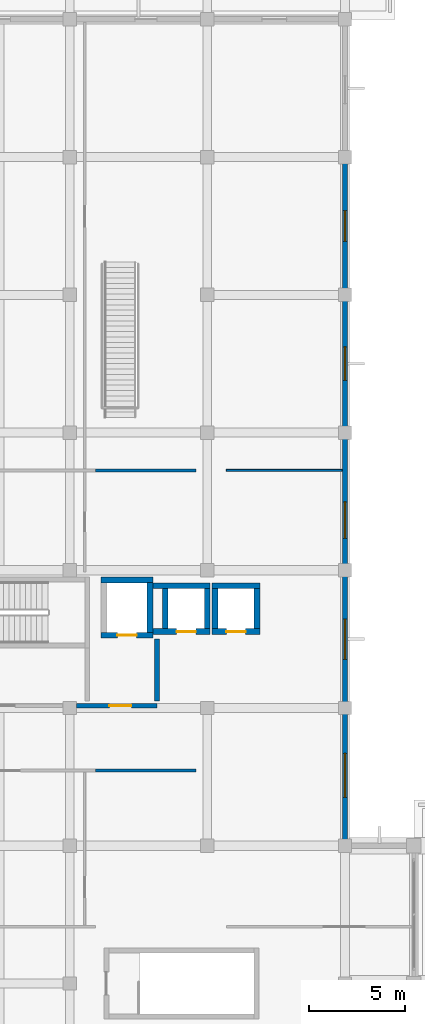
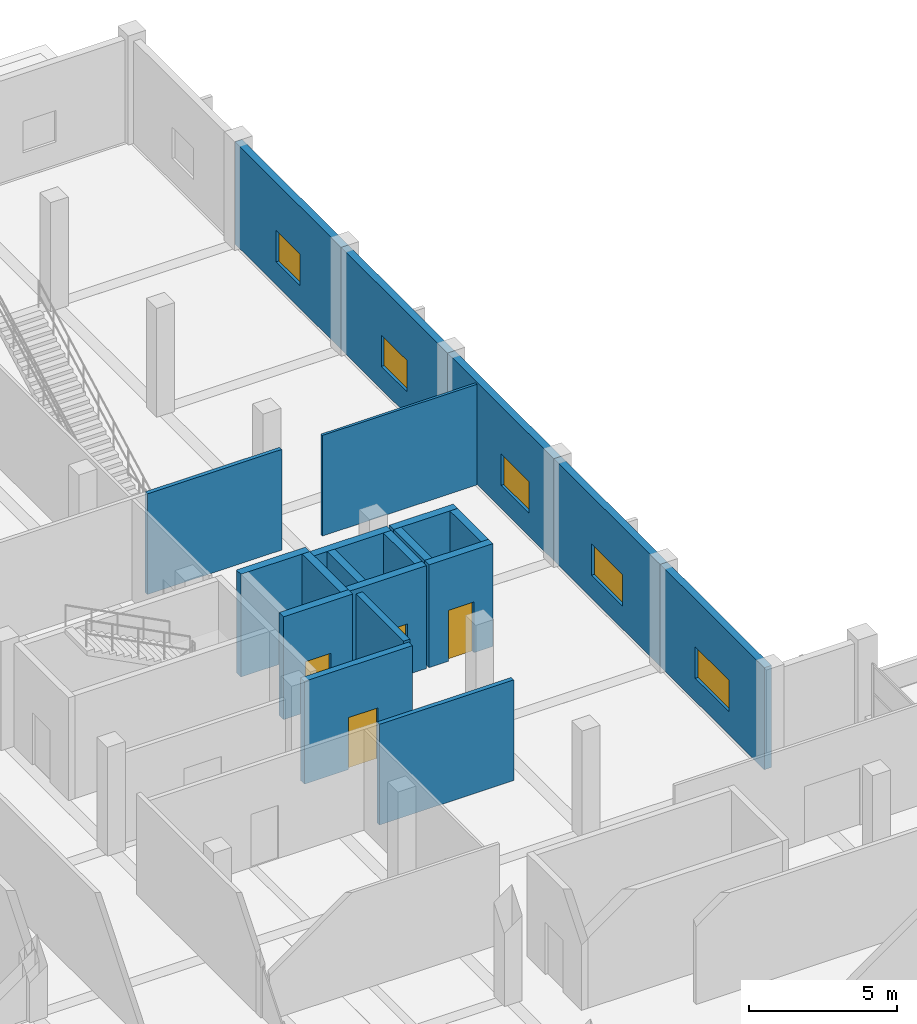
# One storey, part 15 of 24: 21 walls, 5 windows, 4 doors, 9 openings.
"""IFC4 building model written with IfcOpenShell, lengths in metres."""

from ifc_helpers import new_model, si_unit, direction, frame, frame_2d, origin, place, context, subcontext, project, spatial, rectangle, extrude, material, layer, layer_set, type_object, element, fill, save


model = new_model("IFC4")

# Units and contexts
model_context = context("Model", 3, precision=1e-05, world=origin(), true_north=direction((0.0, 1.0)))
body_context = subcontext(model_context, "Body", "Model", "MODEL_VIEW")
ifc_project = project(units=[si_unit("LENGTHUNIT", "METRE"), si_unit("AREAUNIT", "SQUARE_METRE"), si_unit("VOLUMEUNIT", "CUBIC_METRE"), si_unit("PLANEANGLEUNIT", "RADIAN"), si_unit("MASSUNIT", "GRAM", prefix="KILO")], contexts=[model_context])

# Site, building, storey
site_placement = place(None, origin())
site = spatial("IfcSite", under=ifc_project, at=site_placement, CompositionType="ELEMENT")
building_placement = place(site_placement, origin())
building = spatial("IfcBuilding", under=site, at=building_placement, Name="Seraya Terrace Polytechnic", CompositionType="ELEMENT")
storey_placement = place(building_placement, frame((0.0, 0.0, 18.89990234375)))
storey = spatial("IfcBuildingStorey", under=building, at=storey_placement, Name="L04", CompositionType="ELEMENT", Elevation=18.89990234375)

# Wall, opening, window
ifc_material_1 = material(Name="Precast concrete C40/50", Category="concrete")
ifc_layer_1 = layer(ifc_material_1, 0.280029296875, Name="EW-02")
ifc_layer_set_1 = layer_set([ifc_layer_1], Name="Precast concrete C40/50")
wall_type_1 = type_object("IfcWallType", Name="EW-02", PredefinedType="SOLIDWALL", material=ifc_layer_set_1)
wall_1_placement = place(storey_placement, frame((108.0, 64.800048828125, 0.0), z_axis=(0.0, 0.0, 1.0), x_axis=(0.0, -1.0, 0.0)))
wall_1 = element("IfcWall", 1, at=wall_1_placement, inside=storey, type_object=wall_type_1, Name="Exterior structural wall EW-02 L04", PredefinedType="SOLIDWALL", context=body_context, shape_type="SweptSolid", body=[
    extrude(rectangle(XDim=7.199951171875, YDim=0.280029296875, at=frame_2d((3.60009765625, 0.0))), origin(), (0.0, 0.0, 1.0), 4.22021484375),
])
opening_1_placement = place(wall_1_placement, frame((2.800048828125, 0.0, 0.949951171875)))
opening_1 = element("IfcOpeningElement", 2, at=opening_1_placement, cuts=wall_1, Name="Opening WN-05", PredefinedType="OPENING", context=body_context, shape_type="SweptSolid", body=[
    extrude(rectangle(XDim=1.60009765625, YDim=1.300048828125, at=frame_2d((0.800048828125, 0.64990234375))), frame((0.0, 0.15185546875, 0.0), z_axis=(0.0, -1.0, 0.0), x_axis=(1.0, 0.0, 0.0)), (0.0, 0.0, 1.0), 0.303955078125),
])
ifc_material_2 = material(Name="Laminated solar-control Low-E double glazing", Category="glass")
window_type_1 = type_object("IfcWindowType", Name="WN-05", PartitioningType="SINGLE_PANEL", PredefinedType="WINDOW", material=ifc_material_2)
window_1_placement = place(opening_1_placement, origin())
window_1 = element("IfcWindow", 3, at=window_1_placement, inside=storey, type_object=window_type_1, Name="Exterior window WN-05 L04", OverallHeight=1.300048828125, OverallWidth=1.60009765625, PartitioningType="SINGLE_PANEL", PredefinedType="WINDOW", context=body_context, shape_type="SweptSolid", body=[
    extrude(rectangle(XDim=1.60009765625, YDim=1.300048828125, at=frame_2d((0.800048828125, 0.64990234375))), frame((0.0, 0.030029296875, 0.0), z_axis=(0.0, -1.0, 0.0), x_axis=(1.0, 0.0, 0.0)), (0.0, 0.0, 1.0), 0.06005859375),
])
fill(opening_1, window_1)

wall_2_placement = place(storey_placement, frame((108.0, 57.60009765625, 0.0), z_axis=(0.0, 0.0, 1.0), x_axis=(0.0, -1.0, 0.0)))
wall_2 = element("IfcWall", 4, at=wall_2_placement, inside=storey, type_object=wall_type_1, Name="Exterior structural wall EW-02 L04", PredefinedType="SOLIDWALL", context=body_context, shape_type="SweptSolid", body=[
    extrude(rectangle(XDim=7.2001953125, YDim=0.280029296875, at=frame_2d((3.60009765625, 0.0))), origin(), (0.0, 0.0, 1.0), 4.22021484375),
])
opening_2_placement = place(wall_2_placement, frame((2.72509765625, 0.0, 0.949951171875)))
opening_2 = element("IfcOpeningElement", 5, at=opening_2_placement, cuts=wall_2, Name="Opening WN-06", PredefinedType="OPENING", context=body_context, shape_type="SweptSolid", body=[
    extrude(rectangle(XDim=1.75, YDim=1.300048828125, at=frame_2d((0.875, 0.64990234375))), frame((0.0, 0.15185546875, 0.0), z_axis=(0.0, -1.0, 0.0), x_axis=(1.0, 0.0, 0.0)), (0.0, 0.0, 1.0), 0.303955078125),
])
window_type_2 = type_object("IfcWindowType", Name="WN-06", PartitioningType="SINGLE_PANEL", PredefinedType="WINDOW", material=ifc_material_2)
window_2_placement = place(opening_2_placement, origin())
window_2 = element("IfcWindow", 6, at=window_2_placement, inside=storey, type_object=window_type_2, Name="Exterior window WN-06 L04", OverallHeight=1.300048828125, OverallWidth=1.75, PartitioningType="SINGLE_PANEL", PredefinedType="WINDOW", context=body_context, shape_type="SweptSolid", body=[
    extrude(rectangle(XDim=1.75, YDim=1.300048828125, at=frame_2d((0.875, 0.64990234375))), frame((0.0, 0.030029296875, 0.0), z_axis=(0.0, -1.0, 0.0), x_axis=(1.0, 0.0, 0.0)), (0.0, 0.0, 1.0), 0.06005859375),
])
fill(opening_2, window_2)

wall_3_placement = place(storey_placement, frame((108.0, 50.39990234375, 0.0), z_axis=(0.0, 0.0, 1.0), x_axis=(0.0, -1.0, 0.0)))
wall_3 = element("IfcWall", 7, at=wall_3_placement, inside=storey, type_object=wall_type_1, Name="Exterior structural wall EW-02 L04", PredefinedType="SOLIDWALL", context=body_context, shape_type="SweptSolid", body=[
    extrude(rectangle(XDim=7.199951171875, YDim=0.280029296875, at=frame_2d((3.60009765625, 0.0))), origin(), (0.0, 0.0, 1.0), 4.22021484375),
])
opening_3_placement = place(wall_3_placement, frame((3.626708984375, 0.0, 0.949951171875)))
opening_3 = element("IfcOpeningElement", 8, at=opening_3_placement, cuts=wall_3, Name="Opening WN-07", PredefinedType="OPENING", context=body_context, shape_type="SweptSolid", body=[
    extrude(rectangle(XDim=1.89990234375, YDim=1.300048828125, at=frame_2d((0.949951171875, 0.64990234375))), frame((0.0, 0.15185546875, 0.0), z_axis=(0.0, -1.0, 0.0), x_axis=(1.0, 0.0, 0.0)), (0.0, 0.0, 1.0), 0.303955078125),
])
window_type_3 = type_object("IfcWindowType", Name="WN-07", PartitioningType="SINGLE_PANEL", PredefinedType="WINDOW", material=ifc_material_2)
window_3_placement = place(opening_3_placement, origin())
window_3 = element("IfcWindow", 9, at=window_3_placement, inside=storey, type_object=window_type_3, Name="Exterior window WN-07 L04", OverallHeight=1.300048828125, OverallWidth=1.89990234375, PartitioningType="SINGLE_PANEL", PredefinedType="WINDOW", context=body_context, shape_type="SweptSolid", body=[
    extrude(rectangle(XDim=1.89990234375, YDim=1.300048828125, at=frame_2d((0.949951171875, 0.64990234375))), frame((0.0, 0.030029296875, 0.0), z_axis=(0.0, -1.0, 0.0), x_axis=(1.0, 0.0, 0.0)), (0.0, 0.0, 1.0), 0.06005859375),
])
fill(opening_3, window_3)

wall_4_placement = place(storey_placement, frame((108.0, 43.199951171875, 0.0), z_axis=(0.0, 0.0, 1.0), x_axis=(0.0, -1.0, 0.0)))
wall_4 = element("IfcWall", 10, at=wall_4_placement, inside=storey, type_object=wall_type_1, Name="Exterior structural wall EW-02 L04", PredefinedType="SOLIDWALL", context=body_context, shape_type="SweptSolid", body=[
    extrude(rectangle(XDim=7.199951171875, YDim=0.280029296875, at=frame_2d((3.60009765625, 0.0))), origin(), (0.0, 0.0, 1.0), 4.22021484375),
])
opening_4_placement = place(wall_4_placement, frame((2.550048828125, 0.0, 0.949951171875)))
opening_4 = element("IfcOpeningElement", 11, at=opening_4_placement, cuts=wall_4, Name="Opening WN-08", PredefinedType="OPENING", context=body_context, shape_type="SweptSolid", body=[
    extrude(rectangle(XDim=2.10009765625, YDim=1.300048828125, at=frame_2d((1.050048828125, 0.64990234375))), frame((0.0, 0.15185546875, 0.0), z_axis=(0.0, -1.0, 0.0), x_axis=(1.0, 0.0, 0.0)), (0.0, 0.0, 1.0), 0.303955078125),
])
window_type_4 = type_object("IfcWindowType", Name="WN-08", PartitioningType="SINGLE_PANEL", PredefinedType="WINDOW", material=ifc_material_2)
window_4_placement = place(opening_4_placement, origin())
window_4 = element("IfcWindow", 12, at=window_4_placement, inside=storey, type_object=window_type_4, Name="Exterior window WN-08 L04", OverallHeight=1.300048828125, OverallWidth=2.10009765625, PartitioningType="SINGLE_PANEL", PredefinedType="WINDOW", context=body_context, shape_type="SweptSolid", body=[
    extrude(rectangle(XDim=2.10009765625, YDim=1.300048828125, at=frame_2d((1.050048828125, 0.64990234375))), frame((0.0, 0.030029296875, 0.0), z_axis=(0.0, -1.0, 0.0), x_axis=(1.0, 0.0, 0.0)), (0.0, 0.0, 1.0), 0.06005859375),
])
fill(opening_4, window_4)

wall_5_placement = place(storey_placement, frame((108.0, 36.0, 0.0), z_axis=(0.0, 0.0, 1.0), x_axis=(0.0, -1.0, 0.0)))
wall_5 = element("IfcWall", 13, at=wall_5_placement, inside=storey, type_object=wall_type_1, Name="Exterior structural wall EW-02 L04", PredefinedType="SOLIDWALL", context=body_context, shape_type="SweptSolid", body=[
    extrude(rectangle(XDim=7.048095703125, YDim=0.280029296875, at=frame_2d((3.52392578125, 0.0))), origin(), (0.0, 0.0, 1.0), 4.22021484375),
])
opening_5_placement = place(wall_5_placement, frame((2.3740234375, 0.0, 0.949951171875)))
opening_5 = element("IfcOpeningElement", 14, at=opening_5_placement, cuts=wall_5, Name="Opening WN-09", PredefinedType="OPENING", context=body_context, shape_type="SweptSolid", body=[
    extrude(rectangle(XDim=2.300048828125, YDim=1.300048828125, at=frame_2d((1.14990234375, 0.64990234375))), frame((0.0, 0.15185546875, 0.0), z_axis=(0.0, -1.0, 0.0), x_axis=(1.0, 0.0, 0.0)), (0.0, 0.0, 1.0), 0.303955078125),
])
window_type_5 = type_object("IfcWindowType", Name="WN-09", PartitioningType="SINGLE_PANEL", PredefinedType="WINDOW", material=ifc_material_2)
window_5_placement = place(opening_5_placement, origin())
window_5 = element("IfcWindow", 15, at=window_5_placement, inside=storey, type_object=window_type_5, Name="Exterior window WN-09 L04", OverallHeight=1.300048828125, OverallWidth=2.300048828125, PartitioningType="SINGLE_PANEL", PredefinedType="WINDOW", context=body_context, shape_type="SweptSolid", body=[
    extrude(rectangle(XDim=2.300048828125, YDim=1.300048828125, at=frame_2d((1.14990234375, 0.64990234375))), frame((0.0, 0.030029296875, 0.0), z_axis=(0.0, -1.0, 0.0), x_axis=(1.0, 0.0, 0.0)), (0.0, 0.0, 1.0), 0.06005859375),
])
fill(opening_5, window_5)

# Walls
ifc_material_3 = material(Name="Autoclaved aerated concrete blockwork", Category="masonry")
ifc_layer_2 = layer(ifc_material_3, 0.169921875, Name="PT-02")
ifc_layer_set_2 = layer_set([ifc_layer_2], Name="Autoclaved aerated concrete blockwork")
wall_type_2 = type_object("IfcWallType", Name="PT-02", PredefinedType="PARTITIONING", material=ifc_layer_set_2)
wall_6_placement = place(storey_placement, frame((94.949951171875, 32.72998046875, 0.0), z_axis=(0.0, 0.0, 1.0), x_axis=(1.0, 0.0, 0.0)))
element("IfcWall", 16, at=wall_6_placement, inside=storey, type_object=wall_type_2, Name="Internal partition PT-02 L04", PredefinedType="PARTITIONING", context=body_context, shape_type="SweptSolid", body=[
    extrude(rectangle(XDim=5.25, YDim=0.169921875, at=frame_2d((2.625, 0.0))), origin(), (0.0, 0.0, 1.0), 4.16015625),
])
ifc_layer_3 = layer(ifc_material_3, 0.14990234375, Name="PT-03")
ifc_layer_set_3 = layer_set([ifc_layer_3], Name="Autoclaved aerated concrete blockwork")
wall_type_3 = type_object("IfcWallType", Name="PT-03", PredefinedType="PARTITIONING", material=ifc_layer_set_3)
wall_7_placement = place(storey_placement, frame((94.949951171875, 48.4267578125, 0.0), z_axis=(0.0, 0.0, 1.0), x_axis=(1.0, 0.0, 0.0)))
element("IfcWall", 17, at=wall_7_placement, inside=storey, type_object=wall_type_3, Name="Internal partition PT-03 L04", PredefinedType="PARTITIONING", context=body_context, shape_type="SweptSolid", body=[
    extrude(rectangle(XDim=5.25, YDim=0.14990234375, at=frame_2d((2.625, 0.0))), origin(), (0.0, 0.0, 1.0), 4.16015625),
])
ifc_layer_4 = layer(ifc_material_3, 0.10009765625, Name="PT-06")
ifc_layer_set_4 = layer_set([ifc_layer_4], Name="Autoclaved aerated concrete blockwork")
wall_type_4 = type_object("IfcWallType", Name="PT-06", PredefinedType="PARTITIONING", material=ifc_layer_set_4)
wall_8_placement = place(storey_placement, frame((101.800048828125, 48.4267578125, 0.0), z_axis=(0.0, 0.0, 1.0), x_axis=(1.0, 0.0, 0.0)))
element("IfcWall", 18, at=wall_8_placement, inside=storey, type_object=wall_type_4, Name="Internal partition PT-06 L04", PredefinedType="PARTITIONING", context=body_context, shape_type="SweptSolid", body=[
    extrude(rectangle(XDim=6.0478515625, YDim=0.10009765625, at=frame_2d((3.02392578125, 0.0))), origin(), (0.0, 0.0, 1.0), 4.16015625),
])

# Wall, opening, door
ifc_material_4 = material(Name="Concrete C40/50", Category="concrete")
ifc_layer_5 = layer(ifc_material_4, 0.300048828125, Name="SW-01")
ifc_layer_set_5 = layer_set([ifc_layer_5], Name="Concrete C40/50")
wall_type_5 = type_object("IfcWallType", Name="SW-01", PredefinedType="SHEAR", material=ifc_layer_set_5)
wall_9_placement = place(storey_placement, frame((95.25, 39.800048828125, 0.0), z_axis=(0.0, 0.0, 1.0), x_axis=(1.0, 0.0, 0.0)))
wall_9 = element("IfcWall", 19, at=wall_9_placement, inside=storey, type_object=wall_type_5, Name="Lift shaft FL-02 South wall L04", PredefinedType="SHEAR", context=body_context, shape_type="SweptSolid", body=[
    extrude(rectangle(XDim=2.699951171875, YDim=0.300048828125, at=frame_2d((1.35009765625, 0.0))), origin(), (0.0, 0.0, 1.0), 4.25),
])
opening_6_placement = place(wall_9_placement, frame((0.85009765625, 0.0, 0.0)))
opening_6 = element("IfcOpeningElement", 20, at=opening_6_placement, cuts=wall_9, Name="Opening LD-01", PredefinedType="OPENING", context=body_context, shape_type="SweptSolid", body=[
    extrude(rectangle(XDim=1.0, YDim=2.10009765625, at=frame_2d((0.5, 1.050048828125))), frame((0.0, 0.162109375, 0.0), z_axis=(0.0, -1.0, 0.0), x_axis=(1.0, 0.0, 0.0)), (0.0, 0.0, 1.0), 0.323974609375),
])
ifc_material_5 = material(Name="Steel S355J2", Category="steel")
door_type_1 = type_object("IfcDoorType", Name="LD-01", OperationType="SLIDING_TO_LEFT", PredefinedType="DOOR", material=ifc_material_5)
door_1_placement = place(opening_6_placement, frame((1.0, 0.0, 0.0), z_axis=(0.0, 0.0, 1.0), x_axis=(-1.0, 0.0, 0.0)))
door_1 = element("IfcDoor", 21, at=door_1_placement, inside=storey, type_object=door_type_1, Name="Door LD-01 LD-FL-02-L04 in WL-SHF-FL-02-L04-S", OperationType="SLIDING_TO_RIGHT", OverallHeight=2.10009765625, OverallWidth=1.0, PredefinedType="DOOR", context=body_context, shape_type="SweptSolid", body=[
    extrude(rectangle(XDim=1.0, YDim=2.10009765625, at=frame_2d((0.5, 1.050048828125))), frame((0.0, 0.02490234375, 0.0), z_axis=(0.0, -1.0, 0.0), x_axis=(1.0, 0.0, 0.0)), (0.0, 0.0, 1.0), 0.050048828125),
])
fill(opening_6, door_1)

# Walls
wall_10_placement = place(storey_placement, frame((95.25, 42.699951171875, 0.0), z_axis=(0.0, 0.0, 1.0), x_axis=(1.0, 0.0, 0.0)))
element("IfcWall", 22, at=wall_10_placement, inside=storey, type_object=wall_type_5, Name="Lift shaft FL-02 North wall L04", PredefinedType="SHEAR", context=body_context, shape_type="SweptSolid", body=[
    extrude(rectangle(XDim=2.699951171875, YDim=0.300048828125, at=frame_2d((1.35009765625, 0.0))), origin(), (0.0, 0.0, 1.0), 4.25),
])
wall_11_placement = place(storey_placement, frame((97.800048828125, 39.949951171875, 0.0), z_axis=(0.0, 0.0, 1.0), x_axis=(0.0, 1.0, 0.0)))
element("IfcWall", 23, at=wall_11_placement, inside=storey, type_object=wall_type_5, Name="Lift shaft FL-02 East wall L04", PredefinedType="SHEAR", context=body_context, shape_type="SweptSolid", body=[
    extrude(rectangle(XDim=2.60009765625, YDim=0.300048828125, at=frame_2d((1.300048828125, 0.0))), origin(), (0.0, 0.0, 1.0), 4.25),
])

# Wall, opening, door
wall_12_placement = place(storey_placement, frame((97.949951171875, 40.0, 0.0), z_axis=(0.0, 0.0, 1.0), x_axis=(1.0, 0.0, 0.0)))
wall_12 = element("IfcWall", 24, at=wall_12_placement, inside=storey, type_object=wall_type_5, Name="Lift shaft PL-03 South wall L04", PredefinedType="SHEAR", context=body_context, shape_type="SweptSolid", body=[
    extrude(rectangle(XDim=3.0, YDim=0.300048828125, at=frame_2d((1.5, 0.0))), origin(), (0.0, 0.0, 1.0), 4.25),
])
opening_7_placement = place(wall_12_placement, frame((1.25, 0.0, 0.0)))
opening_7 = element("IfcOpeningElement", 25, at=opening_7_placement, cuts=wall_12, Name="Opening LD-01", PredefinedType="OPENING", context=body_context, shape_type="SweptSolid", body=[
    extrude(rectangle(XDim=1.0, YDim=2.10009765625, at=frame_2d((0.5, 1.050048828125))), frame((0.0, 0.162109375, 0.0), z_axis=(0.0, -1.0, 0.0), x_axis=(1.0, 0.0, 0.0)), (0.0, 0.0, 1.0), 0.323974609375),
])
door_2_placement = place(opening_7_placement, frame((1.0, 0.0, 0.0), z_axis=(0.0, 0.0, 1.0), x_axis=(-1.0, 0.0, 0.0)))
door_2 = element("IfcDoor", 26, at=door_2_placement, inside=storey, type_object=door_type_1, Name="Door LD-01 LD-PL-03-L04 in WL-SHF-PL-03-L04-S", OperationType="SLIDING_TO_LEFT", OverallHeight=2.10009765625, OverallWidth=1.0, PredefinedType="DOOR", context=body_context, shape_type="SweptSolid", body=[
    extrude(rectangle(XDim=1.0, YDim=2.10009765625, at=frame_2d((0.5, 1.050048828125))), frame((0.0, 0.02490234375, 0.0), z_axis=(0.0, -1.0, 0.0), x_axis=(1.0, 0.0, 0.0)), (0.0, 0.0, 1.0), 0.050048828125),
])
fill(opening_7, door_2)

# Walls
wall_13_placement = place(storey_placement, frame((97.949951171875, 42.39990234375, 0.0), z_axis=(0.0, 0.0, 1.0), x_axis=(1.0, 0.0, 0.0)))
element("IfcWall", 27, at=wall_13_placement, inside=storey, type_object=wall_type_5, Name="Lift shaft PL-03 North wall L04", PredefinedType="SHEAR", context=body_context, shape_type="SweptSolid", body=[
    extrude(rectangle(XDim=3.0, YDim=0.300048828125, at=frame_2d((1.5, 0.0))), origin(), (0.0, 0.0, 1.0), 4.25),
])
for number, where, z_axis, x_axis, name in (
    (28, (98.60009765625, 40.14990234375, 0.0), (0.0, 0.0, 1.0), (0.0, 1.0, 0.0), "Lift shaft PL-03 West wall L04"),
    (29, (100.800048828125, 40.14990234375, 0.0), (0.0, 0.0, 1.0), (0.0, 1.0, 0.0), "Lift shaft PL-03 East wall L04"),
):
    element("IfcWall", number, at=place(storey_placement, frame(where, z_axis=z_axis, x_axis=x_axis)), inside=storey, type_object=wall_type_5, Name=name, PredefinedType="SHEAR", context=body_context, shape_type="SweptSolid", body=[
        extrude(rectangle(XDim=2.10009765625, YDim=0.300048828125, at=frame_2d((1.050048828125, 0.0))), origin(), (0.0, 0.0, 1.0), 4.25),
    ])

# Wall, opening, door
wall_14_placement = place(storey_placement, frame((101.050048828125, 40.0, 0.0), z_axis=(0.0, 0.0, 1.0), x_axis=(1.0, 0.0, 0.0)))
wall_14 = element("IfcWall", 30, at=wall_14_placement, inside=storey, type_object=wall_type_5, Name="Lift shaft PL-04 South wall L04", PredefinedType="SHEAR", context=body_context, shape_type="SweptSolid", body=[
    extrude(rectangle(XDim=2.5, YDim=0.300048828125, at=frame_2d((1.25, 0.0))), origin(), (0.0, 0.0, 1.0), 4.25),
])
opening_8_placement = place(wall_14_placement, frame((0.75, 0.0, 0.0)))
opening_8 = element("IfcOpeningElement", 31, at=opening_8_placement, cuts=wall_14, Name="Opening LD-01", PredefinedType="OPENING", context=body_context, shape_type="SweptSolid", body=[
    extrude(rectangle(XDim=1.0, YDim=2.10009765625, at=frame_2d((0.5, 1.050048828125))), frame((0.0, 0.162109375, 0.0), z_axis=(0.0, -1.0, 0.0), x_axis=(1.0, 0.0, 0.0)), (0.0, 0.0, 1.0), 0.323974609375),
])
door_3_placement = place(opening_8_placement, frame((1.0, 0.0, 0.0), z_axis=(0.0, 0.0, 1.0), x_axis=(-1.0, 0.0, 0.0)))
door_3 = element("IfcDoor", 32, at=door_3_placement, inside=storey, type_object=door_type_1, Name="Door LD-01 LD-PL-04-L04 in WL-SHF-PL-04-L04-S", OperationType="SLIDING_TO_RIGHT", OverallHeight=2.10009765625, OverallWidth=1.0, PredefinedType="DOOR", context=body_context, shape_type="SweptSolid", body=[
    extrude(rectangle(XDim=1.0, YDim=2.10009765625, at=frame_2d((0.5, 1.050048828125))), frame((0.0, 0.02490234375, 0.0), z_axis=(0.0, -1.0, 0.0), x_axis=(1.0, 0.0, 0.0)), (0.0, 0.0, 1.0), 0.050048828125),
])
fill(opening_8, door_3)

# Walls
wall_15_placement = place(storey_placement, frame((101.050048828125, 42.39990234375, 0.0), z_axis=(0.0, 0.0, 1.0), x_axis=(1.0, 0.0, 0.0)))
element("IfcWall", 33, at=wall_15_placement, inside=storey, type_object=wall_type_5, Name="Lift shaft PL-04 North wall L04", PredefinedType="SHEAR", context=body_context, shape_type="SweptSolid", body=[
    extrude(rectangle(XDim=2.5, YDim=0.300048828125, at=frame_2d((1.25, 0.0))), origin(), (0.0, 0.0, 1.0), 4.25),
])
for number, where, z_axis, x_axis, name in (
    (34, (101.199951171875, 40.14990234375, 0.0), (0.0, 0.0, 1.0), (0.0, 1.0, 0.0), "Lift shaft PL-04 West wall L04"),
    (35, (103.39990234375, 40.14990234375, 0.0), (0.0, 0.0, 1.0), (0.0, 1.0, 0.0), "Lift shaft PL-04 East wall L04"),
):
    element("IfcWall", number, at=place(storey_placement, frame(where, z_axis=z_axis, x_axis=x_axis)), inside=storey, type_object=wall_type_5, Name=name, PredefinedType="SHEAR", context=body_context, shape_type="SweptSolid", body=[
        extrude(rectangle(XDim=2.10009765625, YDim=0.300048828125, at=frame_2d((1.050048828125, 0.0))), origin(), (0.0, 0.0, 1.0), 4.25),
    ])

# Wall, opening, door
ifc_layer_6 = layer(ifc_material_4, 0.25, Name="SW-02")
ifc_layer_set_6 = layer_set([ifc_layer_6], Name="Concrete C40/50")
wall_type_6 = type_object("IfcWallType", Name="SW-02", PredefinedType="SHEAR", material=ifc_layer_set_6)
wall_16_placement = place(storey_placement, frame((93.949951171875, 36.125, 0.0), z_axis=(0.0, 0.0, 1.0), x_axis=(1.0, 0.0, 0.0)))
wall_16 = element("IfcWall", 36, at=wall_16_placement, inside=storey, type_object=wall_type_6, Name="Firefighting lobby B South wall L04", PredefinedType="SHEAR", context=body_context, shape_type="SweptSolid", body=[
    extrude(rectangle(XDim=4.22509765625, YDim=0.25, at=frame_2d((2.112548828125, 0.0))), origin(), (0.0, 0.0, 1.0), 4.25),
])
opening_9_placement = place(wall_16_placement, frame((1.72509765625, 0.0, 0.0)))
opening_9 = element("IfcOpeningElement", 37, at=opening_9_placement, cuts=wall_16, Name="Opening FD-02", PredefinedType="OPENING", context=body_context, shape_type="SweptSolid", body=[
    extrude(rectangle(XDim=1.14990234375, YDim=2.14990234375, at=frame_2d((0.574951171875, 1.074951171875))), frame((0.0, 0.136962890625, 0.0), z_axis=(0.0, -1.0, 0.0), x_axis=(1.0, 0.0, 0.0)), (0.0, 0.0, 1.0), 0.27392578125),
])
door_type_2 = type_object("IfcDoorType", Name="FD-02", OperationType="NOTDEFINED", PredefinedType="DOOR", material=ifc_material_5)
door_4_placement = place(opening_9_placement, frame((1.14990234375, 0.0, 0.0), z_axis=(0.0, 0.0, 1.0), x_axis=(-1.0, 0.0, 0.0)))
door_4 = element("IfcDoor", 38, at=door_4_placement, inside=storey, type_object=door_type_2, Name="Door FD-02 DR-FFL-CORE-B-L04 in WL-FFL-CORE-B-L04-S", OperationType="SINGLE_SWING_RIGHT", OverallHeight=2.14990234375, OverallWidth=1.14990234375, PredefinedType="DOOR", context=body_context, shape_type="SweptSolid", body=[
    extrude(rectangle(XDim=1.14990234375, YDim=2.14990234375, at=frame_2d((0.574951171875, 1.074951171875))), frame((0.0, 0.02490234375, 0.0), z_axis=(0.0, -1.0, 0.0), x_axis=(1.0, 0.0, 0.0)), (0.0, 0.0, 1.0), 0.050048828125),
])
fill(opening_9, door_4)

# Wall
wall_17_placement = place(storey_placement, frame((98.175048828125, 36.375, 0.0), z_axis=(0.0, 0.0, 1.0), x_axis=(0.0, 1.0, 0.0)))
element("IfcWall", 39, at=wall_17_placement, inside=storey, type_object=wall_type_6, Name="Firefighting lobby B East wall L04", PredefinedType="SHEAR", context=body_context, shape_type="SweptSolid", body=[
    extrude(rectangle(XDim=3.22509765625, YDim=0.25, at=frame_2d((1.612548828125, 0.0))), origin(), (0.0, 0.0, 1.0), 4.25),
])

save(model, "model.ifc")
